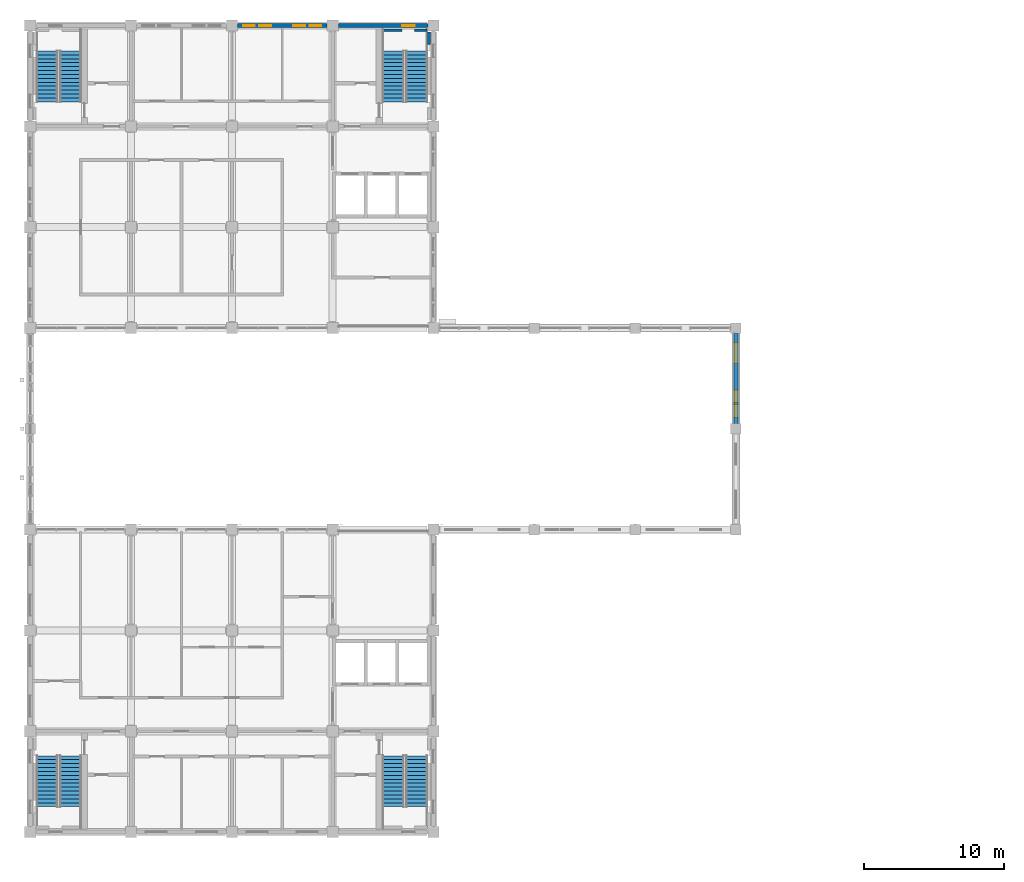
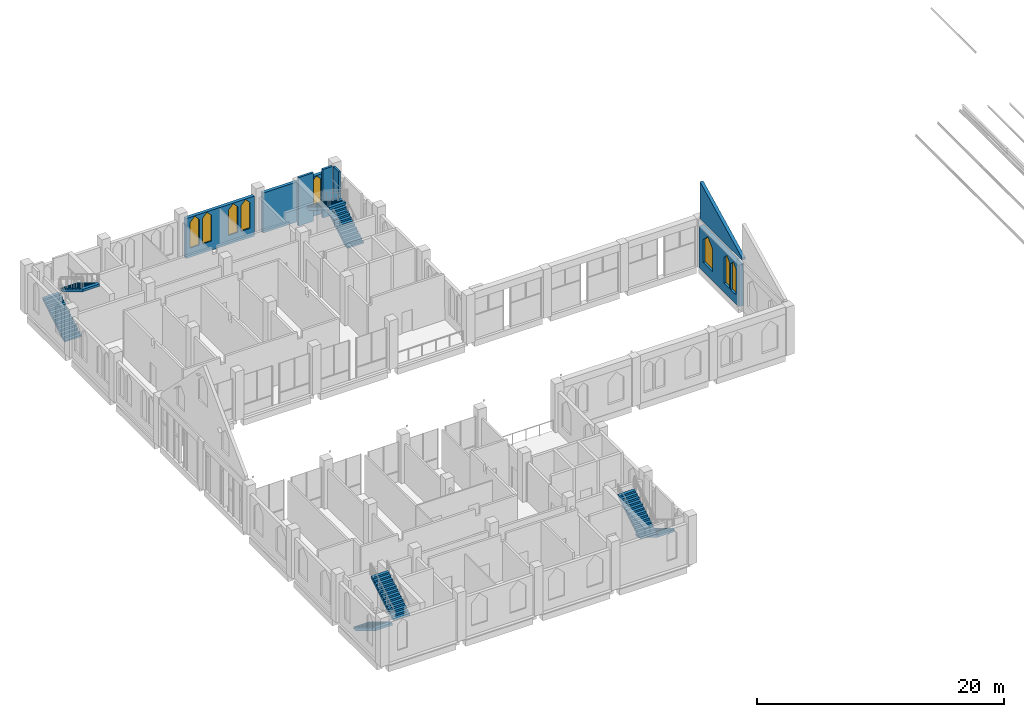
# One storey, part 24 of 31: 8 stair flights, 8 windows, 7 walls, 8 openings, 4 elements without a shape of their own.
"""IFC4 building model written with IfcOpenShell, lengths in metres."""

from ifc_helpers import new_model, si_unit, direction, frame, frame_2d, origin, place, context, subcontext, project, spatial, polyline, rectangle, outline, extrude, material, layer, layer_set, type_object, element, fill, aggregate, save


model = new_model("IFC4")

# Units and contexts
model_context = context("Model", 3, precision=1e-05, world=origin(), true_north=direction((0.0, 1.0)))
body_context = subcontext(model_context, "Body", "Model", "MODEL_VIEW")
ifc_project = project(units=[si_unit("LENGTHUNIT", "METRE"), si_unit("AREAUNIT", "SQUARE_METRE"), si_unit("VOLUMEUNIT", "CUBIC_METRE"), si_unit("PLANEANGLEUNIT", "RADIAN"), si_unit("MASSUNIT", "GRAM", prefix="KILO")], contexts=[model_context])

# Site, building, storey
site_placement = place(None, origin())
site = spatial("IfcSite", under=ifc_project, at=site_placement, CompositionType="ELEMENT")
building_placement = place(site_placement, origin())
building = spatial("IfcBuilding", under=site, at=building_placement, Name="Silangan Lancet Faculty of Sciences", CompositionType="ELEMENT")
storey_placement = place(building_placement, frame((0.0, 0.0, 36.0)))
storey = spatial("IfcBuildingStorey", under=building, at=storey_placement, Name="L07", CompositionType="ELEMENT", Elevation=36.0)

# Wall, openings, windows
ifc_material_1 = material(Name="Concrete C40/50 precast", Category="concrete")
ifc_layer_1 = layer(ifc_material_1, 0.300048828125)
ifc_layer_set_1 = layer_set([ifc_layer_1], Name="Concrete C40/50 precast")
wall_type_1 = type_object("IfcWallType", Name="EW1 Precast cladding wall", PredefinedType="STANDARD", material=ifc_layer_set_1)
wall_1_placement = place(storey_placement, frame((21.199951171875, 57.60009765625, 0.0), z_axis=(0.0, 0.0, 1.0), x_axis=(-1.0, 0.0, 0.0)))
wall_1 = element("IfcWall", 1, at=wall_1_placement, inside=storey, type_object=wall_type_1, Name="EW-L07-N-NT-01", PredefinedType="STANDARD", context=body_context, shape_type="SweptSolid", body=[
    extrude(rectangle(XDim=6.39990234375, YDim=0.300048828125, at=frame_2d((3.199951171875, 0.0))), origin(), (0.0, 0.0, 1.0), 3.949951171875),
])
opening_1_placement = place(wall_1_placement, frame((0.39990234375, 0.0, 0.89990234375)))
opening_1 = element("IfcOpeningElement", 2, at=opening_1_placement, cuts=wall_1, Name="Opening W19", PredefinedType="OPENING", context=body_context, shape_type="SweptSolid", body=[
    extrude(outline(polyline([(0.0, 0.0), (0.85009765625, 0.0), (0.85009765625, 2.550048828125), (0.425048828125, 3.0), (0.0, 2.550048828125), (0.0, 0.0)])), frame((0.0, 0.159912109375, 0.0), z_axis=(0.0, -1.0, 0.0), x_axis=(1.0, 0.0, 0.0)), (0.0, 0.0, 1.0), 0.320068359375),
])
opening_2_placement = place(wall_1_placement, frame((1.550048828125, 0.0, 0.89990234375)))
opening_2 = element("IfcOpeningElement", 3, at=opening_2_placement, cuts=wall_1, Name="Opening W19", PredefinedType="OPENING", context=body_context, shape_type="SweptSolid", body=[
    extrude(outline(polyline([(0.0, 0.0), (0.85009765625, 0.0), (0.85009765625, 2.550048828125), (0.425048828125, 3.0), (0.0, 2.550048828125), (0.0, 0.0)])), frame((0.0, 0.159912109375, 0.0), z_axis=(0.0, -1.0, 0.0), x_axis=(1.0, 0.0, 0.0)), (0.0, 0.0, 1.0), 0.320068359375),
])
opening_3_placement = place(wall_1_placement, frame((4.0, 0.0, 0.89990234375)))
opening_3 = element("IfcOpeningElement", 4, at=opening_3_placement, cuts=wall_1, Name="Opening W19", PredefinedType="OPENING", context=body_context, shape_type="SweptSolid", body=[
    extrude(outline(polyline([(0.0, 0.0), (0.85009765625, 0.0), (0.85009765625, 2.550048828125), (0.425048828125, 3.0), (0.0, 2.550048828125), (0.0, 0.0)])), frame((0.0, 0.159912109375, 0.0), z_axis=(0.0, -1.0, 0.0), x_axis=(1.0, 0.0, 0.0)), (0.0, 0.0, 1.0), 0.320068359375),
])
opening_4_placement = place(wall_1_placement, frame((5.14990234375, 0.0, 0.89990234375)))
opening_4 = element("IfcOpeningElement", 5, at=opening_4_placement, cuts=wall_1, Name="Opening W19", PredefinedType="OPENING", context=body_context, shape_type="SweptSolid", body=[
    extrude(outline(polyline([(0.0, 0.0), (0.85009765625, 0.0), (0.85009765625, 2.550048828125), (0.425048828125, 3.0), (0.0, 2.550048828125), (0.0, 0.0)])), frame((0.0, 0.159912109375, 0.0), z_axis=(0.0, -1.0, 0.0), x_axis=(1.0, 0.0, 0.0)), (0.0, 0.0, 1.0), 0.320068359375),
])
ifc_material_2 = material(Name="Aluminium frame, laminated double glazing", Category="aluminium")
window_type_1 = type_object("IfcWindowType", Name="W19 Lancet window 850 x 3000", PartitioningType="SINGLE_PANEL", PredefinedType="WINDOW", material=ifc_material_2)
window_1_placement = place(opening_1_placement, origin())
window_1 = element("IfcWindow", 6, at=window_1_placement, inside=storey, type_object=window_type_1, Name="WIN-L07-N-NT-01a1", OverallHeight=3.0, OverallWidth=0.85009765625, PartitioningType="SINGLE_PANEL", PredefinedType="WINDOW", context=body_context, shape_type="SweptSolid", body=[
    extrude(outline(polyline([(0.0, 0.0), (0.85009765625, 0.0), (0.85009765625, 2.550048828125), (0.425048828125, 3.0), (0.0, 2.550048828125), (0.0, 0.0)])), frame((0.0, 0.030029296875, 0.0), z_axis=(0.0, -1.0, 0.0), x_axis=(1.0, 0.0, 0.0)), (0.0, 0.0, 1.0), 0.06005859375),
])
fill(opening_1, window_1)
window_2_placement = place(opening_2_placement, origin())
window_2 = element("IfcWindow", 7, at=window_2_placement, inside=storey, type_object=window_type_1, Name="WIN-L07-N-NT-01a2", OverallHeight=3.0, OverallWidth=0.85009765625, PartitioningType="SINGLE_PANEL", PredefinedType="WINDOW", context=body_context, shape_type="SweptSolid", body=[
    extrude(outline(polyline([(0.0, 0.0), (0.85009765625, 0.0), (0.85009765625, 2.550048828125), (0.425048828125, 3.0), (0.0, 2.550048828125), (0.0, 0.0)])), frame((0.0, 0.030029296875, 0.0), z_axis=(0.0, -1.0, 0.0), x_axis=(1.0, 0.0, 0.0)), (0.0, 0.0, 1.0), 0.06005859375),
])
fill(opening_2, window_2)
window_3_placement = place(opening_3_placement, origin())
window_3 = element("IfcWindow", 8, at=window_3_placement, inside=storey, type_object=window_type_1, Name="WIN-L07-N-NT-01b1", OverallHeight=3.0, OverallWidth=0.85009765625, PartitioningType="SINGLE_PANEL", PredefinedType="WINDOW", context=body_context, shape_type="SweptSolid", body=[
    extrude(outline(polyline([(0.0, 0.0), (0.85009765625, 0.0), (0.85009765625, 2.550048828125), (0.425048828125, 3.0), (0.0, 2.550048828125), (0.0, 0.0)])), frame((0.0, 0.030029296875, 0.0), z_axis=(0.0, -1.0, 0.0), x_axis=(1.0, 0.0, 0.0)), (0.0, 0.0, 1.0), 0.06005859375),
])
fill(opening_3, window_3)
window_4_placement = place(opening_4_placement, origin())
window_4 = element("IfcWindow", 9, at=window_4_placement, inside=storey, type_object=window_type_1, Name="WIN-L07-N-NT-01b2", OverallHeight=3.0, OverallWidth=0.85009765625, PartitioningType="SINGLE_PANEL", PredefinedType="WINDOW", context=body_context, shape_type="SweptSolid", body=[
    extrude(outline(polyline([(0.0, 0.0), (0.85009765625, 0.0), (0.85009765625, 2.550048828125), (0.425048828125, 3.0), (0.0, 2.550048828125), (0.0, 0.0)])), frame((0.0, 0.030029296875, 0.0), z_axis=(0.0, -1.0, 0.0), x_axis=(1.0, 0.0, 0.0)), (0.0, 0.0, 1.0), 0.06005859375),
])
fill(opening_4, window_4)

# Wall, opening, window
ifc_material_3 = material(Name="Concrete C40/50 precast", Category="concrete")
ifc_layer_2 = layer(ifc_material_3, 0.300048828125)
ifc_layer_set_2 = layer_set([ifc_layer_2], Name="Concrete C40/50 precast")
wall_type_2 = type_object("IfcWallType", Name="EW2 Turret enclosure wall", PredefinedType="STANDARD", material=ifc_layer_set_2)
wall_2_placement = place(storey_placement, frame((28.39990234375, 57.60009765625, 0.0), z_axis=(0.0, 0.0, 1.0), x_axis=(-1.0, 0.0, 0.0)))
wall_2 = element("IfcWall", 10, at=wall_2_placement, inside=storey, type_object=wall_type_2, Name="EW-L07-N-NT-00", PredefinedType="STANDARD", context=body_context, shape_type="SweptSolid", body=[
    extrude(rectangle(XDim=6.39990234375, YDim=0.300048828125, at=frame_2d((3.199951171875, 0.0))), origin(), (0.0, 0.0, 1.0), 3.949951171875),
])
opening_5_placement = place(wall_2_placement, frame((0.949951171875, 0.0, 0.89990234375)))
opening_5 = element("IfcOpeningElement", 11, at=opening_5_placement, cuts=wall_2, Name="Opening W17", PredefinedType="OPENING", context=body_context, shape_type="SweptSolid", body=[
    extrude(outline(polyline([(0.0, 0.0), (0.89990234375, 0.0), (0.89990234375, 2.550048828125), (0.449951171875, 3.0), (0.0, 2.550048828125), (0.0, 0.0)])), frame((0.0, 0.159912109375, 0.0), z_axis=(0.0, -1.0, 0.0), x_axis=(1.0, 0.0, 0.0)), (0.0, 0.0, 1.0), 0.320068359375),
])
ifc_material_4 = material(Name="Aluminium frame, laminated double glazing", Category="aluminium")
window_type_2 = type_object("IfcWindowType", Name="W17 Lancet window 900 x 3000", PartitioningType="SINGLE_PANEL", PredefinedType="WINDOW", material=ifc_material_4)
window_5_placement = place(opening_5_placement, origin())
window_5 = element("IfcWindow", 12, at=window_5_placement, inside=storey, type_object=window_type_2, Name="WIN-L07-N-NT-00a", OverallHeight=3.0, OverallWidth=0.89990234375, PartitioningType="SINGLE_PANEL", PredefinedType="WINDOW", context=body_context, shape_type="SweptSolid", body=[
    extrude(outline(polyline([(0.0, 0.0), (0.89990234375, 0.0), (0.89990234375, 2.550048828125), (0.449951171875, 3.0), (0.0, 2.550048828125), (0.0, 0.0)])), frame((0.0, 0.030029296875, 0.0), z_axis=(0.0, -1.0, 0.0), x_axis=(1.0, 0.0, 0.0)), (0.0, 0.0, 1.0), 0.06005859375),
])
fill(opening_5, window_5)

# Wall, openings, windows
ifc_material_5 = material(Name="Concrete C40/50", Category="concrete")
ifc_layer_3 = layer(ifc_material_5, 0.449951171875)
ifc_layer_set_3 = layer_set([ifc_layer_3], Name="Concrete C40/50")
wall_type_3 = type_object("IfcWallType", Name="EW8 Clerestory wall with deep reveals", PredefinedType="STANDARD", material=ifc_layer_set_3)
wall_3_placement = place(storey_placement, frame((50.39990234375, 29.175048828125, 0.0), z_axis=(0.0, 0.0, 1.0), x_axis=(0.0, 1.0, 0.0)))
wall_3 = element("IfcWall", 13, at=wall_3_placement, inside=storey, type_object=wall_type_3, Name="EW-L07-E-NAVE-01", PredefinedType="STANDARD", context=body_context, shape_type="SweptSolid", body=[
    extrude(rectangle(XDim=6.449951171875, YDim=0.449951171875, at=frame_2d((3.22509765625, 0.0))), origin(), (0.0, 0.0, 1.0), 4.10009765625),
])
opening_6_placement = place(wall_3_placement, frame((0.449951171875, 0.0, 0.89990234375)))
opening_6 = element("IfcOpeningElement", 14, at=opening_6_placement, cuts=wall_3, Name="Opening W17", PredefinedType="OPENING", context=body_context, shape_type="SweptSolid", body=[
    extrude(outline(polyline([(0.0, 0.0), (0.89990234375, 0.0), (0.89990234375, 2.550048828125), (0.449951171875, 3.0), (0.0, 2.550048828125), (0.0, 0.0)])), frame((0.0, 0.23486328125, 0.0), z_axis=(0.0, -1.0, 0.0), x_axis=(1.0, 0.0, 0.0)), (0.0, 0.0, 1.0), 0.469970703125),
])
opening_7_placement = place(wall_3_placement, frame((1.5, 0.0, 0.89990234375)))
opening_7 = element("IfcOpeningElement", 15, at=opening_7_placement, cuts=wall_3, Name="Opening W17", PredefinedType="OPENING", context=body_context, shape_type="SweptSolid", body=[
    extrude(outline(polyline([(0.0, 0.0), (0.89990234375, 0.0), (0.89990234375, 2.550048828125), (0.449951171875, 3.0), (0.0, 2.550048828125), (0.0, 0.0)])), frame((0.0, 0.23486328125, 0.0), z_axis=(0.0, -1.0, 0.0), x_axis=(1.0, 0.0, 0.0)), (0.0, 0.0, 1.0), 0.469970703125),
])
opening_8_placement = place(wall_3_placement, frame((4.27490234375, 0.0, 0.89990234375)))
opening_8 = element("IfcOpeningElement", 16, at=opening_8_placement, cuts=wall_3, Name="Opening W18", PredefinedType="OPENING", context=body_context, shape_type="SweptSolid", body=[
    extrude(outline(polyline([(0.0, 0.0), (1.5, 0.0), (1.5, 2.25), (0.75, 3.0), (0.0, 2.25), (0.0, 0.0)])), frame((0.0, 0.23486328125, 0.0), z_axis=(0.0, -1.0, 0.0), x_axis=(1.0, 0.0, 0.0)), (0.0, 0.0, 1.0), 0.469970703125),
])
window_6_placement = place(opening_6_placement, origin())
window_6 = element("IfcWindow", 17, at=window_6_placement, inside=storey, type_object=window_type_2, Name="WIN-L07-E-NAVE-01a1", OverallHeight=3.0, OverallWidth=0.89990234375, PartitioningType="SINGLE_PANEL", PredefinedType="WINDOW", context=body_context, shape_type="SweptSolid", body=[
    extrude(outline(polyline([(0.0, 0.0), (0.89990234375, 0.0), (0.89990234375, 2.550048828125), (0.449951171875, 3.0), (0.0, 2.550048828125), (0.0, 0.0)])), frame((0.0, 0.030029296875, 0.0), z_axis=(0.0, -1.0, 0.0), x_axis=(1.0, 0.0, 0.0)), (0.0, 0.0, 1.0), 0.06005859375),
])
fill(opening_6, window_6)
window_7_placement = place(opening_7_placement, origin())
window_7 = element("IfcWindow", 18, at=window_7_placement, inside=storey, type_object=window_type_2, Name="WIN-L07-E-NAVE-01a2", OverallHeight=3.0, OverallWidth=0.89990234375, PartitioningType="SINGLE_PANEL", PredefinedType="WINDOW", context=body_context, shape_type="SweptSolid", body=[
    extrude(outline(polyline([(0.0, 0.0), (0.89990234375, 0.0), (0.89990234375, 2.550048828125), (0.449951171875, 3.0), (0.0, 2.550048828125), (0.0, 0.0)])), frame((0.0, 0.030029296875, 0.0), z_axis=(0.0, -1.0, 0.0), x_axis=(1.0, 0.0, 0.0)), (0.0, 0.0, 1.0), 0.06005859375),
])
fill(opening_7, window_7)
ifc_material_6 = material(Name="Aluminium storm louvre blades", Category="aluminium")
window_type_3 = type_object("IfcWindowType", Name="W18 Storm louvre lancet 1500 x 3000", PartitioningType="SINGLE_PANEL", PredefinedType="WINDOW", material=ifc_material_6)
window_8_placement = place(opening_8_placement, origin())
window_8 = element("IfcWindow", 19, at=window_8_placement, inside=storey, type_object=window_type_3, Name="WIN-L07-E-NAVE-01b", OverallHeight=3.0, OverallWidth=1.5, PartitioningType="SINGLE_PANEL", PredefinedType="WINDOW", context=body_context, shape_type="SweptSolid", body=[
    extrude(outline(polyline([(0.0, 0.0), (1.5, 0.0), (1.5, 2.25), (0.75, 3.0), (0.0, 2.25), (0.0, 0.0)])), frame((0.0, 0.030029296875, 0.0), z_axis=(0.0, -1.0, 0.0), x_axis=(1.0, 0.0, 0.0)), (0.0, 0.0, 1.0), 0.06005859375),
])
fill(opening_8, window_8)

# Walls
ifc_material_7 = material(Name="Concrete C40/50", Category="concrete")
ifc_layer_4 = layer(ifc_material_7, 0.300048828125)
ifc_layer_set_4 = layer_set([ifc_layer_4], Name="Concrete C40/50")
wall_type_4 = type_object("IfcWallType", Name="EW9 Nave end wall under the sawtooth roof", PredefinedType="POLYGONAL", material=ifc_layer_set_4)
wall_4_placement = place(storey_placement, frame((50.39990234375, 28.77001953125, 4.800048828125), z_axis=(0.0, 0.0, 1.0), x_axis=(0.0, 1.0, 0.0)))
element("IfcWall", 20, at=wall_4_placement, inside=storey, type_object=wall_type_4, Name="NEND-E2", PredefinedType="POLYGONAL", context=body_context, shape_type="SweptSolid", body=[
    extrude(outline(polyline([(0.0, 0.0), (6.830078125, 0.0), (6.830078125, 3.649658203125), (0.0, 0.234619140625), (0.0, 0.0)])), frame((0.0, 0.14990234375, 0.0), z_axis=(0.0, -1.0, 0.0), x_axis=(1.0, 0.0, 0.0)), (0.0, 0.0, 1.0), 0.300048828125),
])
ifc_material_8 = material(Name="Concrete C40/50", Category="concrete")
ifc_layer_5 = layer(ifc_material_8, 0.199951171875)
ifc_layer_set_5 = layer_set([ifc_layer_5], Name="Concrete C40/50")
wall_type_5 = type_object("IfcWallType", Name="TURRET LINING WALL RC 200", PredefinedType="SHEAR", material=ifc_layer_set_5)
wall_5_placement = place(storey_placement, frame((28.47509765625, 56.25, -0.25), z_axis=(0.0, 0.0, 1.0), x_axis=(0.0, 1.0, 0.0)))
element("IfcWall", 21, at=wall_5_placement, inside=storey, type_object=wall_type_5, Name="WALL-L07-NT-B-WL-3", PredefinedType="SHEAR", context=body_context, shape_type="SweptSolid", body=[
    extrude(rectangle(XDim=0.89990234375, YDim=0.199951171875, at=frame_2d((0.449951171875, 0.0))), origin(), (0.0, 0.0, 1.0), 4.800048828125),
])
wall_6_placement = place(storey_placement, frame((25.14990234375, 57.27490234375, -0.25), z_axis=(0.0, 0.0, 1.0), x_axis=(1.0, 0.0, 0.0)))
element("IfcWall", 22, at=wall_6_placement, inside=storey, type_object=wall_type_5, Name="WALL-L07-NT-B-WLD", PredefinedType="SHEAR", context=body_context, shape_type="SweptSolid", body=[
    extrude(rectangle(XDim=1.400146484375, YDim=0.199951171875, at=frame_2d((0.7001953125, 0.0))), origin(), (0.0, 0.0, 1.0), 4.800048828125),
])
wall_7_placement = place(storey_placement, frame((27.449951171875, 57.27490234375, -0.25), z_axis=(0.0, 0.0, 1.0), x_axis=(1.0, 0.0, 0.0)))
element("IfcWall", 23, at=wall_7_placement, inside=storey, type_object=wall_type_5, Name="WALL-L07-NT-B-WLD-2", PredefinedType="SHEAR", context=body_context, shape_type="SweptSolid", body=[
    extrude(rectangle(XDim=0.900146484375, YDim=0.199951171875, at=frame_2d((0.4501953125, 0.0))), origin(), (0.0, 0.0, 1.0), 4.800048828125),
])

# Stair, stair flights
ifc_material_9 = material(Name="Concrete C40/50", Category="concrete")
stair_type = type_object("IfcStairType", Name="TURRET STAIR 1550 TWO-FLIGHT", PredefinedType="HALF_TURN_STAIR", material=ifc_material_9)
stair_1_placement = place(storey_placement, origin())
stair_1 = element("IfcStair", 24, at=stair_1_placement, inside=storey, type_object=stair_type, Name="NT-A stair L07", PredefinedType="HALF_TURN_STAIR")
ifc_material_10 = material(Name="Concrete C40/50", Category="concrete")
stair_flight_type = type_object("IfcStairFlightType", Name="TURRET STAIR FLIGHT 1550", PredefinedType="STRAIGHT", material=ifc_material_10)
stair_flight_1_placement = place(storey_placement, frame((1.199951171875, 52.14990234375, 0.0), z_axis=(0.0, 0.0, 1.0), x_axis=(0.0, 1.0, 0.0)))
stair_flight_1 = element("IfcStairFlight", 25, at=stair_flight_1_placement, type_object=stair_flight_type, Name="STR3 flight 1", NumberOfRisers=14, NumberOfTreads=13, PredefinedType="STRAIGHT", RiserHeight=0.171428571, TreadLength=0.28, context=body_context, shape_type="SweptSolid", body=[
    extrude(outline(polyline([(0.0, 0.0), (0.0, 0.17138671875), (0.280029296875, 0.17138671875), (0.280029296875, 0.3427734375), (0.56005859375, 0.3427734375), (0.56005859375, 0.514404296875), (0.840087890625, 0.514404296875), (0.840087890625, 0.685791015625), (1.1201171875, 0.685791015625), (1.1201171875, 0.857177734375), (1.39990234375, 0.857177734375), (1.39990234375, 1.028564453125), (1.679931640625, 1.028564453125), (1.679931640625, 1.199951171875), (1.9599609375, 1.199951171875), (1.9599609375, 1.371337890625), (2.239990234375, 1.371337890625), (2.239990234375, 1.54296875), (2.52001953125, 1.54296875), (2.52001953125, 1.71435546875), (2.800048828125, 1.71435546875), (2.800048828125, 1.8857421875), (3.080078125, 1.8857421875), (3.080078125, 2.05712890625), (3.360107421875, 2.05712890625), (3.360107421875, 2.228515625), (3.639892578125, 2.228515625), (3.639892578125, 2.39990234375), (3.639892578125, 1.994140625), (0.383056640625, 0.0), (0.0, 0.0)])), frame((0.0, 0.77490234375, 0.0), z_axis=(0.0, -1.0, 0.0), x_axis=(1.0, 0.0, 0.0)), (0.0, 0.0, 1.0), 1.550048828125),
])
stair_flight_2_placement = place(storey_placement, frame((2.875, 55.7900390625, 2.39990234375), z_axis=(0.0, 0.0, 1.0), x_axis=(0.0, -1.0, 0.0)))
stair_flight_2 = element("IfcStairFlight", 26, at=stair_flight_2_placement, type_object=stair_flight_type, Name="STR3 flight 2", NumberOfRisers=14, NumberOfTreads=13, PredefinedType="STRAIGHT", RiserHeight=0.171428571, TreadLength=0.28, context=body_context, shape_type="SweptSolid", body=[
    extrude(outline(polyline([(0.0, 0.0), (0.0, 0.17138671875), (0.280029296875, 0.17138671875), (0.280029296875, 0.3427734375), (0.56005859375, 0.3427734375), (0.56005859375, 0.514404296875), (0.840087890625, 0.514404296875), (0.840087890625, 0.685791015625), (1.1201171875, 0.685791015625), (1.1201171875, 0.857177734375), (1.39990234375, 0.857177734375), (1.39990234375, 1.028564453125), (1.679931640625, 1.028564453125), (1.679931640625, 1.199951171875), (1.9599609375, 1.199951171875), (1.9599609375, 1.371337890625), (2.239990234375, 1.371337890625), (2.239990234375, 1.54296875), (2.52001953125, 1.54296875), (2.52001953125, 1.71435546875), (2.800048828125, 1.71435546875), (2.800048828125, 1.8857421875), (3.080078125, 1.8857421875), (3.080078125, 2.05712890625), (3.360107421875, 2.05712890625), (3.360107421875, 2.228515625), (3.639892578125, 2.228515625), (3.639892578125, 2.39990234375), (3.639892578125, 1.994140625), (0.383056640625, 0.0), (0.0, 0.0)])), frame((0.0, 0.77490234375, 0.0), z_axis=(0.0, -1.0, 0.0), x_axis=(1.0, 0.0, 0.0)), (0.0, 0.0, 1.0), 1.550048828125),
])
aggregate(stair_1, [stair_flight_1, stair_flight_2])

stair_2_placement = place(storey_placement, origin())
stair_2 = element("IfcStair", 27, at=stair_2_placement, inside=storey, type_object=stair_type, Name="NT-B stair L07", PredefinedType="HALF_TURN_STAIR")
stair_flight_3_placement = place(storey_placement, frame((27.60009765625, 52.14990234375, 0.0), z_axis=(0.0, 0.0, 1.0), x_axis=(0.0, 1.0, 0.0)))
stair_flight_3 = element("IfcStairFlight", 28, at=stair_flight_3_placement, type_object=stair_flight_type, Name="STR4 flight 1", NumberOfRisers=14, NumberOfTreads=13, PredefinedType="STRAIGHT", RiserHeight=0.171428571, TreadLength=0.28, context=body_context, shape_type="SweptSolid", body=[
    extrude(outline(polyline([(0.0, 0.0), (0.0, 0.17138671875), (0.280029296875, 0.17138671875), (0.280029296875, 0.3427734375), (0.56005859375, 0.3427734375), (0.56005859375, 0.514404296875), (0.840087890625, 0.514404296875), (0.840087890625, 0.685791015625), (1.1201171875, 0.685791015625), (1.1201171875, 0.857177734375), (1.39990234375, 0.857177734375), (1.39990234375, 1.028564453125), (1.679931640625, 1.028564453125), (1.679931640625, 1.199951171875), (1.9599609375, 1.199951171875), (1.9599609375, 1.371337890625), (2.239990234375, 1.371337890625), (2.239990234375, 1.54296875), (2.52001953125, 1.54296875), (2.52001953125, 1.71435546875), (2.800048828125, 1.71435546875), (2.800048828125, 1.8857421875), (3.080078125, 1.8857421875), (3.080078125, 2.05712890625), (3.360107421875, 2.05712890625), (3.360107421875, 2.228515625), (3.639892578125, 2.228515625), (3.639892578125, 2.39990234375), (3.639892578125, 1.994140625), (0.383056640625, 0.0), (0.0, 0.0)])), frame((0.0, 0.77490234375, 0.0), z_axis=(0.0, -1.0, 0.0), x_axis=(1.0, 0.0, 0.0)), (0.0, 0.0, 1.0), 1.550048828125),
])
stair_flight_4_placement = place(storey_placement, frame((25.925048828125, 55.7900390625, 2.39990234375), z_axis=(0.0, 0.0, 1.0), x_axis=(0.0, -1.0, 0.0)))
stair_flight_4 = element("IfcStairFlight", 29, at=stair_flight_4_placement, type_object=stair_flight_type, Name="STR4 flight 2", NumberOfRisers=14, NumberOfTreads=13, PredefinedType="STRAIGHT", RiserHeight=0.171428571, TreadLength=0.28, context=body_context, shape_type="SweptSolid", body=[
    extrude(outline(polyline([(0.0, 0.0), (0.0, 0.17138671875), (0.280029296875, 0.17138671875), (0.280029296875, 0.3427734375), (0.56005859375, 0.3427734375), (0.56005859375, 0.514404296875), (0.840087890625, 0.514404296875), (0.840087890625, 0.685791015625), (1.1201171875, 0.685791015625), (1.1201171875, 0.857177734375), (1.39990234375, 0.857177734375), (1.39990234375, 1.028564453125), (1.679931640625, 1.028564453125), (1.679931640625, 1.199951171875), (1.9599609375, 1.199951171875), (1.9599609375, 1.371337890625), (2.239990234375, 1.371337890625), (2.239990234375, 1.54296875), (2.52001953125, 1.54296875), (2.52001953125, 1.71435546875), (2.800048828125, 1.71435546875), (2.800048828125, 1.8857421875), (3.080078125, 1.8857421875), (3.080078125, 2.05712890625), (3.360107421875, 2.05712890625), (3.360107421875, 2.228515625), (3.639892578125, 2.228515625), (3.639892578125, 2.39990234375), (3.639892578125, 1.994140625), (0.383056640625, 0.0), (0.0, 0.0)])), frame((0.0, 0.77490234375, 0.0), z_axis=(0.0, -1.0, 0.0), x_axis=(1.0, 0.0, 0.0)), (0.0, 0.0, 1.0), 1.550048828125),
])
aggregate(stair_2, [stair_flight_3, stair_flight_4])

stair_3_placement = place(storey_placement, origin())
stair_3 = element("IfcStair", 30, at=stair_3_placement, inside=storey, type_object=stair_type, Name="ST-A stair L07", PredefinedType="HALF_TURN_STAIR")
stair_flight_5_placement = place(storey_placement, frame((1.199951171875, 5.449951171875, 0.0), z_axis=(0.0, 0.0, 1.0), x_axis=(0.0, -1.0, 0.0)))
stair_flight_5 = element("IfcStairFlight", 31, at=stair_flight_5_placement, type_object=stair_flight_type, Name="STR1 flight 1", NumberOfRisers=14, NumberOfTreads=13, PredefinedType="STRAIGHT", RiserHeight=0.171428571, TreadLength=0.28, context=body_context, shape_type="SweptSolid", body=[
    extrude(outline(polyline([(0.0, 0.0), (0.0, 0.17138671875), (0.280029296875, 0.17138671875), (0.280029296875, 0.3427734375), (0.56005859375, 0.3427734375), (0.56005859375, 0.514404296875), (0.840087890625, 0.514404296875), (0.840087890625, 0.685791015625), (1.1201171875, 0.685791015625), (1.1201171875, 0.857177734375), (1.39990234375, 0.857177734375), (1.39990234375, 1.028564453125), (1.679931640625, 1.028564453125), (1.679931640625, 1.199951171875), (1.9599609375, 1.199951171875), (1.9599609375, 1.371337890625), (2.239990234375, 1.371337890625), (2.239990234375, 1.54296875), (2.52001953125, 1.54296875), (2.52001953125, 1.71435546875), (2.800048828125, 1.71435546875), (2.800048828125, 1.8857421875), (3.080078125, 1.8857421875), (3.080078125, 2.05712890625), (3.360107421875, 2.05712890625), (3.360107421875, 2.228515625), (3.639892578125, 2.228515625), (3.639892578125, 2.39990234375), (3.639892578125, 1.994140625), (0.383056640625, 0.0), (0.0, 0.0)])), frame((0.0, 0.77490234375, 0.0), z_axis=(0.0, -1.0, 0.0), x_axis=(1.0, 0.0, 0.0)), (0.0, 0.0, 1.0), 1.550048828125),
])
stair_flight_6_placement = place(storey_placement, frame((2.875, 1.81005859375, 2.39990234375), z_axis=(0.0, 0.0, 1.0), x_axis=(0.0, 1.0, 0.0)))
stair_flight_6 = element("IfcStairFlight", 32, at=stair_flight_6_placement, type_object=stair_flight_type, Name="STR1 flight 2", NumberOfRisers=14, NumberOfTreads=13, PredefinedType="STRAIGHT", RiserHeight=0.171428571, TreadLength=0.28, context=body_context, shape_type="SweptSolid", body=[
    extrude(outline(polyline([(0.0, 0.0), (0.0, 0.17138671875), (0.280029296875, 0.17138671875), (0.280029296875, 0.3427734375), (0.56005859375, 0.3427734375), (0.56005859375, 0.514404296875), (0.840087890625, 0.514404296875), (0.840087890625, 0.685791015625), (1.1201171875, 0.685791015625), (1.1201171875, 0.857177734375), (1.39990234375, 0.857177734375), (1.39990234375, 1.028564453125), (1.679931640625, 1.028564453125), (1.679931640625, 1.199951171875), (1.9599609375, 1.199951171875), (1.9599609375, 1.371337890625), (2.239990234375, 1.371337890625), (2.239990234375, 1.54296875), (2.52001953125, 1.54296875), (2.52001953125, 1.71435546875), (2.800048828125, 1.71435546875), (2.800048828125, 1.8857421875), (3.080078125, 1.8857421875), (3.080078125, 2.05712890625), (3.360107421875, 2.05712890625), (3.360107421875, 2.228515625), (3.639892578125, 2.228515625), (3.639892578125, 2.39990234375), (3.639892578125, 1.994140625), (0.383056640625, 0.0), (0.0, 0.0)])), frame((0.0, 0.77490234375, 0.0), z_axis=(0.0, -1.0, 0.0), x_axis=(1.0, 0.0, 0.0)), (0.0, 0.0, 1.0), 1.550048828125),
])
aggregate(stair_3, [stair_flight_5, stair_flight_6])

stair_4_placement = place(storey_placement, origin())
stair_4 = element("IfcStair", 33, at=stair_4_placement, inside=storey, type_object=stair_type, Name="ST-B stair L07", PredefinedType="HALF_TURN_STAIR")
stair_flight_7_placement = place(storey_placement, frame((27.60009765625, 5.449951171875, 0.0), z_axis=(0.0, 0.0, 1.0), x_axis=(0.0, -1.0, 0.0)))
stair_flight_7 = element("IfcStairFlight", 34, at=stair_flight_7_placement, type_object=stair_flight_type, Name="STR2 flight 1", NumberOfRisers=14, NumberOfTreads=13, PredefinedType="STRAIGHT", RiserHeight=0.171428571, TreadLength=0.28, context=body_context, shape_type="SweptSolid", body=[
    extrude(outline(polyline([(0.0, 0.0), (0.0, 0.17138671875), (0.280029296875, 0.17138671875), (0.280029296875, 0.3427734375), (0.56005859375, 0.3427734375), (0.56005859375, 0.514404296875), (0.840087890625, 0.514404296875), (0.840087890625, 0.685791015625), (1.1201171875, 0.685791015625), (1.1201171875, 0.857177734375), (1.39990234375, 0.857177734375), (1.39990234375, 1.028564453125), (1.679931640625, 1.028564453125), (1.679931640625, 1.199951171875), (1.9599609375, 1.199951171875), (1.9599609375, 1.371337890625), (2.239990234375, 1.371337890625), (2.239990234375, 1.54296875), (2.52001953125, 1.54296875), (2.52001953125, 1.71435546875), (2.800048828125, 1.71435546875), (2.800048828125, 1.8857421875), (3.080078125, 1.8857421875), (3.080078125, 2.05712890625), (3.360107421875, 2.05712890625), (3.360107421875, 2.228515625), (3.639892578125, 2.228515625), (3.639892578125, 2.39990234375), (3.639892578125, 1.994140625), (0.383056640625, 0.0), (0.0, 0.0)])), frame((0.0, 0.77490234375, 0.0), z_axis=(0.0, -1.0, 0.0), x_axis=(1.0, 0.0, 0.0)), (0.0, 0.0, 1.0), 1.550048828125),
])
stair_flight_8_placement = place(storey_placement, frame((25.925048828125, 1.81005859375, 2.39990234375), z_axis=(0.0, 0.0, 1.0), x_axis=(0.0, 1.0, 0.0)))
stair_flight_8 = element("IfcStairFlight", 35, at=stair_flight_8_placement, type_object=stair_flight_type, Name="STR2 flight 2", NumberOfRisers=14, NumberOfTreads=13, PredefinedType="STRAIGHT", RiserHeight=0.171428571, TreadLength=0.28, context=body_context, shape_type="SweptSolid", body=[
    extrude(outline(polyline([(0.0, 0.0), (0.0, 0.17138671875), (0.280029296875, 0.17138671875), (0.280029296875, 0.3427734375), (0.56005859375, 0.3427734375), (0.56005859375, 0.514404296875), (0.840087890625, 0.514404296875), (0.840087890625, 0.685791015625), (1.1201171875, 0.685791015625), (1.1201171875, 0.857177734375), (1.39990234375, 0.857177734375), (1.39990234375, 1.028564453125), (1.679931640625, 1.028564453125), (1.679931640625, 1.199951171875), (1.9599609375, 1.199951171875), (1.9599609375, 1.371337890625), (2.239990234375, 1.371337890625), (2.239990234375, 1.54296875), (2.52001953125, 1.54296875), (2.52001953125, 1.71435546875), (2.800048828125, 1.71435546875), (2.800048828125, 1.8857421875), (3.080078125, 1.8857421875), (3.080078125, 2.05712890625), (3.360107421875, 2.05712890625), (3.360107421875, 2.228515625), (3.639892578125, 2.228515625), (3.639892578125, 2.39990234375), (3.639892578125, 1.994140625), (0.383056640625, 0.0), (0.0, 0.0)])), frame((0.0, 0.77490234375, 0.0), z_axis=(0.0, -1.0, 0.0), x_axis=(1.0, 0.0, 0.0)), (0.0, 0.0, 1.0), 1.550048828125),
])
aggregate(stair_4, [stair_flight_7, stair_flight_8])

save(model, "model.ifc")
